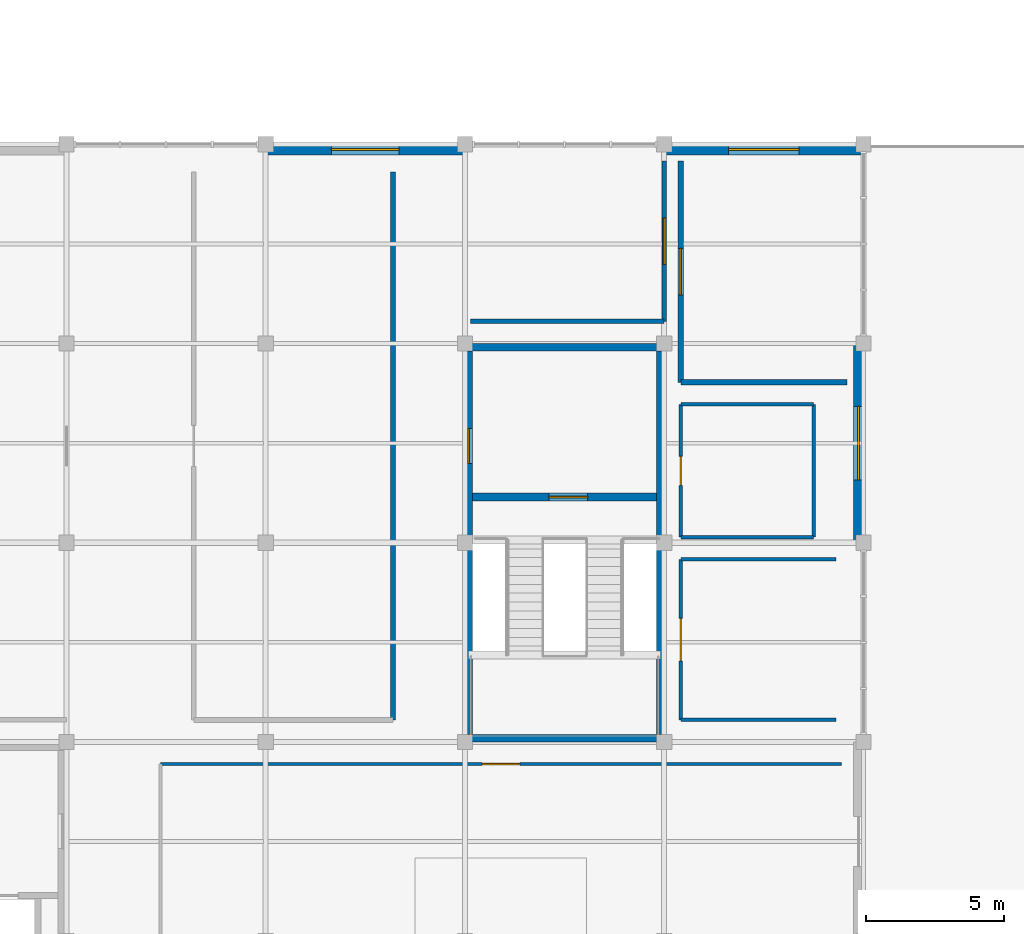
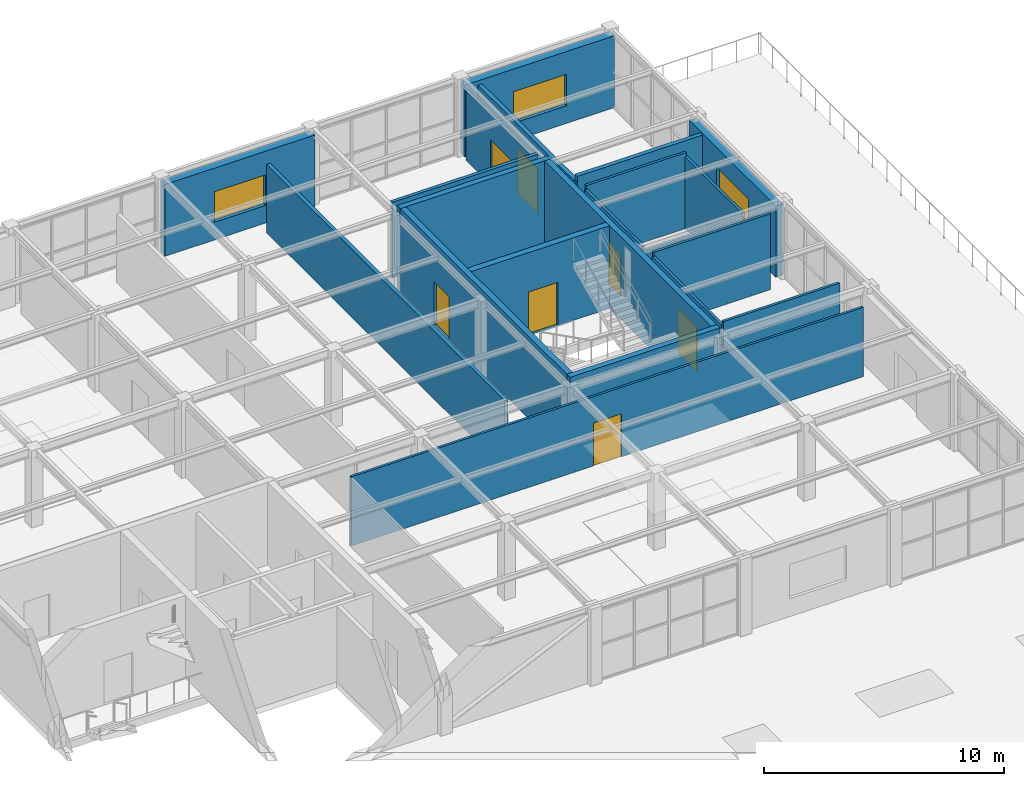
# One storey, part 60 of 64: 21 walls, 7 doors, 3 windows, 10 openings.
"""IFC4 building model written with IfcOpenShell, lengths in metres."""

from ifc_helpers import new_model, si_unit, direction, frame, frame_2d, origin, place, context, subcontext, project, spatial, rectangle, extrude, material, layer, layer_set, type_object, element, fill, save


model = new_model("IFC4")

# Units and contexts
model_context = context("Model", 3, precision=1e-05, world=origin(), true_north=direction((0.0, 1.0)))
body_context = subcontext(model_context, "Body", "Model", "MODEL_VIEW")
ifc_project = project(units=[si_unit("LENGTHUNIT", "METRE"), si_unit("AREAUNIT", "SQUARE_METRE"), si_unit("VOLUMEUNIT", "CUBIC_METRE"), si_unit("PLANEANGLEUNIT", "RADIAN"), si_unit("MASSUNIT", "GRAM", prefix="KILO")], contexts=[model_context])

# Site, building, storey
site_placement = place(None, origin())
site = spatial("IfcSite", under=ifc_project, at=site_placement, CompositionType="ELEMENT")
building_placement = place(site_placement, origin())
building = spatial("IfcBuilding", under=site, at=building_placement, Name="Leyfeld Transit Interchange", CompositionType="ELEMENT")
storey_placement = place(building_placement, frame((0.0, 0.0, 9.60009765625)))
storey = spatial("IfcBuildingStorey", under=building, at=storey_placement, Name="L02", CompositionType="ELEMENT", Elevation=9.60009765625)

# Wall, opening, window
ifc_material_1 = material(Name="Clinker brick masonry - Insulated", Category="masonry")
ifc_layer_1 = layer(ifc_material_1, 0.3798828125, Name="Clinker brick masonry - Insulated")
ifc_layer_set_1 = layer_set([ifc_layer_1], Name="Clinker brick masonry - Insulated")
wall_type_1 = type_object("IfcWallType", Name="WL-EXT-BRK-380", PredefinedType="SOLIDWALL", material=ifc_layer_set_1)
wall_1_placement = place(storey_placement, frame((158.39990234375, 93.409912109375, 0.0), z_axis=(0.0, 0.0, 1.0), x_axis=(1.0, 0.0, 0.0)))
wall_1 = element("IfcWall", 1, at=wall_1_placement, inside=storey, type_object=wall_type_1, Name="External Facade Wall EW-L02-095", PredefinedType="SOLIDWALL", context=body_context, shape_type="SweptSolid", body=[
    extrude(rectangle(XDim=7.2001953125, YDim=0.3798828125, at=frame_2d((3.60009765625, 0.0))), origin(), (0.0, 0.0, 1.0), 3.64990234375),
])
opening_1_placement = place(wall_1_placement, frame((2.375, 0.0, 0.89990234375)))
opening_1 = element("IfcOpeningElement", 2, at=opening_1_placement, cuts=wall_1, Name="Opening WU-13", PredefinedType="OPENING", context=body_context, shape_type="SweptSolid", body=[
    extrude(rectangle(XDim=2.449951171875, YDim=1.550048828125, at=frame_2d((1.22509765625, 0.77490234375))), frame((0.0, 0.199951171875, 0.0), z_axis=(0.0, -1.0, 0.0), x_axis=(1.0, 0.0, 0.0)), (0.0, 0.0, 1.0), 0.39990234375),
])
ifc_material_2 = material(Name="Triple low-E insulated glazing", Category="glass")
window_type_1 = type_object("IfcWindowType", Name="WIN-UNQ-13", PartitioningType="SINGLE_PANEL", PredefinedType="WINDOW", material=ifc_material_2)
window_1_placement = place(opening_1_placement, origin())
window_1 = element("IfcWindow", 3, at=window_1_placement, inside=storey, type_object=window_type_1, Name="Facade Window L02 065", OverallHeight=1.550048828125, OverallWidth=2.449951171875, PartitioningType="SINGLE_PANEL", PredefinedType="WINDOW", context=body_context, shape_type="SweptSolid", body=[
    extrude(rectangle(XDim=2.449951171875, YDim=1.550048828125, at=frame_2d((1.22509765625, 0.77490234375))), frame((0.0, 0.030029296875, 0.0), z_axis=(0.0, -1.0, 0.0), x_axis=(1.0, 0.0, 0.0)), (0.0, 0.0, 1.0), 0.06005859375),
])
fill(opening_1, window_1)

wall_2_placement = place(storey_placement, frame((172.800048828125, 93.409912109375, 0.0), z_axis=(0.0, 0.0, 1.0), x_axis=(1.0, 0.0, 0.0)))
wall_2 = element("IfcWall", 4, at=wall_2_placement, inside=storey, type_object=wall_type_1, Name="External Facade Wall EW-L02-096", PredefinedType="SOLIDWALL", context=body_context, shape_type="SweptSolid", body=[
    extrude(rectangle(XDim=7.199951171875, YDim=0.3798828125, at=frame_2d((3.60009765625, 0.0))), origin(), (0.0, 0.0, 1.0), 3.64990234375),
])
opening_2_placement = place(wall_2_placement, frame((2.324951171875, 0.0, 0.89990234375)))
opening_2 = element("IfcOpeningElement", 5, at=opening_2_placement, cuts=wall_2, Name="Opening WU-14", PredefinedType="OPENING", context=body_context, shape_type="SweptSolid", body=[
    extrude(rectangle(XDim=2.550048828125, YDim=1.60009765625, at=frame_2d((1.27490234375, 0.800048828125))), frame((0.0, 0.199951171875, 0.0), z_axis=(0.0, -1.0, 0.0), x_axis=(1.0, 0.0, 0.0)), (0.0, 0.0, 1.0), 0.39990234375),
])
window_type_2 = type_object("IfcWindowType", Name="WIN-UNQ-14", PartitioningType="SINGLE_PANEL", PredefinedType="WINDOW", material=ifc_material_2)
window_2_placement = place(opening_2_placement, origin())
window_2 = element("IfcWindow", 6, at=window_2_placement, inside=storey, type_object=window_type_2, Name="Facade Window L02 066", OverallHeight=1.60009765625, OverallWidth=2.550048828125, PartitioningType="SINGLE_PANEL", PredefinedType="WINDOW", context=body_context, shape_type="SweptSolid", body=[
    extrude(rectangle(XDim=2.550048828125, YDim=1.60009765625, at=frame_2d((1.27490234375, 0.800048828125))), frame((0.0, 0.030029296875, 0.0), z_axis=(0.0, -1.0, 0.0), x_axis=(1.0, 0.0, 0.0)), (0.0, 0.0, 1.0), 0.06005859375),
])
fill(opening_2, window_2)

ifc_material_3 = material(Name="Leitha limestone ashlar - Insulated", Category="masonry")
ifc_layer_2 = layer(ifc_material_3, 0.360107421875, Name="Leitha limestone ashlar - Insulated")
ifc_layer_set_2 = layer_set([ifc_layer_2], Name="Leitha limestone ashlar - Insulated")
wall_type_2 = type_object("IfcWallType", Name="WL-EXT-STN-360", PredefinedType="SOLIDWALL", material=ifc_layer_set_2)
wall_3_placement = place(storey_placement, frame((179.820068359375, 86.39990234375, 0.0), z_axis=(0.0, 0.0, 1.0), x_axis=(0.0, -1.0, 0.0)))
wall_3 = element("IfcWall", 7, at=wall_3_placement, inside=storey, type_object=wall_type_2, Name="External Facade Wall EW-L02-097", PredefinedType="SOLIDWALL", context=body_context, shape_type="SweptSolid", body=[
    extrude(rectangle(XDim=7.199951171875, YDim=0.360107421875, at=frame_2d((3.60009765625, 0.0))), origin(), (0.0, 0.0, 1.0), 3.619873046875),
])
opening_3_placement = place(wall_3_placement, frame((2.27490234375, 0.0, 0.89990234375)))
opening_3 = element("IfcOpeningElement", 8, at=opening_3_placement, cuts=wall_3, Name="Opening WU-15", PredefinedType="OPENING", context=body_context, shape_type="SweptSolid", body=[
    extrude(rectangle(XDim=2.64990234375, YDim=1.699951171875, at=frame_2d((1.324951171875, 0.85009765625))), frame((0.0, 0.18994140625, 0.0), z_axis=(0.0, -1.0, 0.0), x_axis=(1.0, 0.0, 0.0)), (0.0, 0.0, 1.0), 0.380126953125),
])
window_type_3 = type_object("IfcWindowType", Name="WIN-UNQ-15", PartitioningType="SINGLE_PANEL", PredefinedType="WINDOW", material=ifc_material_2)
window_3_placement = place(opening_3_placement, origin())
window_3 = element("IfcWindow", 9, at=window_3_placement, inside=storey, type_object=window_type_3, Name="Facade Window L02 067", OverallHeight=1.699951171875, OverallWidth=2.64990234375, PartitioningType="SINGLE_PANEL", PredefinedType="WINDOW", context=body_context, shape_type="SweptSolid", body=[
    extrude(rectangle(XDim=2.64990234375, YDim=1.699951171875, at=frame_2d((1.324951171875, 0.85009765625))), frame((0.0, 0.030029296875, 0.0), z_axis=(0.0, -1.0, 0.0), x_axis=(1.0, 0.0, 0.0)), (0.0, 0.0, 1.0), 0.06005859375),
])
fill(opening_3, window_3)

# Wall
ifc_material_4 = material(Name="Gypsum plasterboard acoustic stud", Category="gypsum")
ifc_layer_3 = layer(ifc_material_4, 0.159912109375, Name="Gypsum plasterboard acoustic stud")
ifc_layer_set_3 = layer_set([ifc_layer_3], Name="Gypsum plasterboard acoustic stud")
wall_type_3 = type_object("IfcWallType", Name="WL-INT-ACU-160", PredefinedType="PARTITIONING", material=ifc_layer_set_3)
wall_4_placement = place(storey_placement, frame((172.800048828125, 87.199951171875, 0.0), z_axis=(0.0, 0.0, 1.0), x_axis=(-1.0, 0.0, 0.0)))
element("IfcWall", 10, at=wall_4_placement, inside=storey, type_object=wall_type_3, Name="Interior Partition L02-TRN-V4 S", PredefinedType="PARTITIONING", context=body_context, shape_type="SweptSolid", body=[
    extrude(rectangle(XDim=7.0, YDim=0.159912109375, at=frame_2d((3.5, 0.0))), origin(), (0.0, 0.0, 1.0), 3.849853515625),
])

# Wall, opening, door
wall_5_placement = place(storey_placement, frame((172.800048828125, 93.0, 0.0), z_axis=(0.0, 0.0, 1.0), x_axis=(0.0, -1.0, 0.0)))
wall_5 = element("IfcWall", 11, at=wall_5_placement, inside=storey, type_object=wall_type_3, Name="Interior Partition L02-TRN-V4 E", PredefinedType="PARTITIONING", context=body_context, shape_type="SweptSolid", body=[
    extrude(rectangle(XDim=5.800048828125, YDim=0.159912109375, at=frame_2d((2.89990234375, 0.0))), origin(), (0.0, 0.0, 1.0), 3.5498046875),
])
opening_4_placement = place(wall_5_placement, frame((2.06005859375, 0.0, 0.0)))
opening_4 = element("IfcOpeningElement", 12, at=opening_4_placement, cuts=wall_5, Name="Opening DU-17", PredefinedType="OPENING", context=body_context, shape_type="SweptSolid", body=[
    extrude(rectangle(XDim=1.679931640625, YDim=2.280029296875, at=frame_2d((0.83984375, 1.14013671875))), frame((0.0, 0.08984375, 0.0), z_axis=(0.0, -1.0, 0.0), x_axis=(1.0, 0.0, 0.0)), (0.0, 0.0, 1.0), 0.179931640625),
])
ifc_material_5 = material(Name="Austrian larch glulam GL28h", Category="wood")
door_type_1 = type_object("IfcDoorType", Name="DR-UNQ-17", OperationType="NOTDEFINED", PredefinedType="DOOR", material=ifc_material_5)
door_1_placement = place(opening_4_placement, origin())
door_1 = element("IfcDoor", 13, at=door_1_placement, inside=storey, type_object=door_type_1, Name="DR-L02-TRN-V4", OperationType="DOUBLE_DOOR_SINGLE_SWING", OverallHeight=2.280029296875, OverallWidth=1.679931640625, PredefinedType="DOOR", context=body_context, shape_type="SweptSolid", body=[
    extrude(rectangle(XDim=1.679931640625, YDim=2.280029296875, at=frame_2d((0.83984375, 1.14013671875))), frame((0.0, 0.02490234375, 0.0), z_axis=(0.0, -1.0, 0.0), x_axis=(1.0, 0.0, 0.0)), (0.0, 0.0, 1.0), 0.050048828125),
])
fill(opening_4, door_1)

# Walls
ifc_material_6 = material(Name="Calcium silicate masonry", Category="masonry")
ifc_layer_4 = layer(ifc_material_6, 0.175048828125, Name="Calcium silicate masonry")
ifc_layer_set_4 = layer_set([ifc_layer_4], Name="Calcium silicate masonry")
wall_type_4 = type_object("IfcWallType", Name="WL-INT-COR-175", PredefinedType="PARTITIONING", material=ifc_layer_set_4)
wall_6_placement = place(storey_placement, frame((163.0, 92.60009765625, 0.0), z_axis=(0.0, 0.0, 1.0), x_axis=(0.0, -1.0, 0.0)))
element("IfcWall", 14, at=wall_6_placement, inside=storey, type_object=wall_type_4, Name="Interior Partition L02-ARC-01 E", PredefinedType="PARTITIONING", context=body_context, shape_type="SweptSolid", body=[
    extrude(rectangle(XDim=19.800048828125, YDim=0.175048828125, at=frame_2d((9.89990234375, 0.0))), origin(), (0.0, 0.0, 1.0), 3.469970703125),
])
ifc_material_7 = material(Name="Concrete C35/45", Category="concrete")
ifc_layer_5 = layer(ifc_material_7, 0.199951171875, Name="Concrete C35/45")
ifc_layer_set_5 = layer_set([ifc_layer_5], Name="Concrete C35/45")
wall_type_5 = type_object("IfcWallType", Name="WL-INT-FFL-200", PredefinedType="PARTITIONING", material=ifc_layer_set_5)
wall_7_placement = place(storey_placement, frame((179.39990234375, 85.0, 0.0), z_axis=(0.0, 0.0, 1.0), x_axis=(-1.0, 0.0, 0.0)))
element("IfcWall", 15, at=wall_7_placement, inside=storey, type_object=wall_type_5, Name="Interior Partition L02-LAB-V4 S", PredefinedType="PARTITIONING", context=body_context, shape_type="SweptSolid", body=[
    extrude(rectangle(XDim=6.0, YDim=0.199951171875, at=frame_2d((3.0, 0.0))), origin(), (0.0, 0.0, 1.0), 3.849853515625),
])

# Wall, opening, door
wall_8_placement = place(storey_placement, frame((173.39990234375, 85.0, 0.0), z_axis=(0.0, 0.0, 1.0), x_axis=(0.0, 1.0, 0.0)))
wall_8 = element("IfcWall", 16, at=wall_8_placement, inside=storey, type_object=wall_type_5, Name="Interior Partition L02-LAB-V4 W", PredefinedType="PARTITIONING", context=body_context, shape_type="SweptSolid", body=[
    extrude(rectangle(XDim=8.0, YDim=0.199951171875, at=frame_2d((4.0, 0.0))), origin(), (0.0, 0.0, 1.0), 3.619873046875),
])
opening_5_placement = place(wall_8_placement, frame((3.159912109375, 0.0, 0.0)))
opening_5 = element("IfcOpeningElement", 17, at=opening_5_placement, cuts=wall_8, Name="Opening DU-17", PredefinedType="OPENING", context=body_context, shape_type="SweptSolid", body=[
    extrude(rectangle(XDim=1.679931640625, YDim=2.280029296875, at=frame_2d((0.83984375, 1.14013671875))), frame((0.0, 0.10986328125, 0.0), z_axis=(0.0, -1.0, 0.0), x_axis=(1.0, 0.0, 0.0)), (0.0, 0.0, 1.0), 0.219970703125),
])
door_2_placement = place(opening_5_placement, origin())
door_2 = element("IfcDoor", 18, at=door_2_placement, inside=storey, type_object=door_type_1, Name="DR-L02-LAB-V4", OperationType="DOUBLE_DOOR_SINGLE_SWING", OverallHeight=2.280029296875, OverallWidth=1.679931640625, PredefinedType="DOOR", context=body_context, shape_type="SweptSolid", body=[
    extrude(rectangle(XDim=1.679931640625, YDim=2.280029296875, at=frame_2d((0.83984375, 1.14013671875))), frame((0.0, 0.02490234375, 0.0), z_axis=(0.0, -1.0, 0.0), x_axis=(1.0, 0.0, 0.0)), (0.0, 0.0, 1.0), 0.050048828125),
])
fill(opening_5, door_2)

ifc_layer_6 = layer(ifc_material_4, 0.114990234375, Name="Gypsum plasterboard acoustic stud")
ifc_layer_set_6 = layer_set([ifc_layer_6], Name="Gypsum plasterboard acoustic stud")
wall_type_6 = type_object("IfcWallType", Name="WL-INT-OFF-115", PredefinedType="PARTITIONING", material=ifc_layer_set_6)
wall_9_placement = place(storey_placement, frame((154.60009765625, 71.199951171875, 0.0), z_axis=(0.0, 0.0, 1.0), x_axis=(1.0, 0.0, 0.0)))
wall_9 = element("IfcWall", 19, at=wall_9_placement, inside=storey, type_object=wall_type_6, Name="Interior Partition L02-ADM-01 N", PredefinedType="PARTITIONING", context=body_context, shape_type="SweptSolid", body=[
    extrude(rectangle(XDim=24.599853515625, YDim=0.114990234375, at=frame_2d((12.2998046875, 0.0))), origin(), (0.0, 0.0, 1.0), 3.52001953125),
])
opening_6_placement = place(wall_9_placement, frame((11.6201171875, 0.0, 0.0)))
opening_6 = element("IfcOpeningElement", 20, at=opening_6_placement, cuts=wall_9, Name="Opening DU-11", PredefinedType="OPENING", context=body_context, shape_type="SweptSolid", body=[
    extrude(rectangle(XDim=1.360107421875, YDim=2.179931640625, at=frame_2d((0.68017578125, 1.08984375))), frame((0.0, 0.0673828125, 0.0), z_axis=(0.0, -1.0, 0.0), x_axis=(1.0, 0.0, 0.0)), (0.0, 0.0, 1.0), 0.135009765625),
])
door_type_2 = type_object("IfcDoorType", Name="DR-UNQ-11", OperationType="NOTDEFINED", PredefinedType="DOOR", material=ifc_material_5)
door_3_placement = place(opening_6_placement, origin())
door_3 = element("IfcDoor", 21, at=door_3_placement, inside=storey, type_object=door_type_2, Name="DR-L02-ADM-01", OperationType="SINGLE_SWING_LEFT", OverallHeight=2.179931640625, OverallWidth=1.360107421875, PredefinedType="DOOR", context=body_context, shape_type="SweptSolid", body=[
    extrude(rectangle(XDim=1.360107421875, YDim=2.179931640625, at=frame_2d((0.68017578125, 1.08984375))), frame((0.0, 0.02490234375, 0.0), z_axis=(0.0, -1.0, 0.0), x_axis=(1.0, 0.0, 0.0)), (0.0, 0.0, 1.0), 0.050048828125),
])
fill(opening_6, door_3)

# Walls
ifc_material_8 = material(Name="Autoclaved aerated blockwork G4", Category="masonry")
ifc_layer_7 = layer(ifc_material_8, 0.125, Name="Autoclaved aerated blockwork G4")
ifc_layer_set_7 = layer_set([ifc_layer_7], Name="Autoclaved aerated blockwork G4")
wall_type_7 = type_object("IfcWallType", Name="WL-INT-WC-125", PredefinedType="PARTITIONING", material=ifc_layer_set_7)
for number, where, z_axis, x_axis, name in (
    (22, (173.39990234375, 78.60009765625, 0.0), (0.0, 0.0, 1.0), (1.0, 0.0, 0.0), "Interior Partition L02-WCM-01 N"),
    (23, (179.0, 72.800048828125, 0.0), (0.0, 0.0, 1.0), (-1.0, 0.0, 0.0), "Interior Partition L02-WCM-01 S"),
):
    element("IfcWall", number, at=place(storey_placement, frame(where, z_axis=z_axis, x_axis=x_axis)), inside=storey, type_object=wall_type_7, Name=name, PredefinedType="PARTITIONING", context=body_context, shape_type="SweptSolid", body=[
        extrude(rectangle(XDim=5.60009765625, YDim=0.125, at=frame_2d((2.800048828125, 0.0))), origin(), (0.0, 0.0, 1.0), 3.849853515625),
    ])

# Wall, opening, door
wall_10_placement = place(storey_placement, frame((173.39990234375, 72.800048828125, 0.0), z_axis=(0.0, 0.0, 1.0), x_axis=(0.0, 1.0, 0.0)))
wall_10 = element("IfcWall", 24, at=wall_10_placement, inside=storey, type_object=wall_type_7, Name="Interior Partition L02-WCM-01 W", PredefinedType="PARTITIONING", context=body_context, shape_type="SweptSolid", body=[
    extrude(rectangle(XDim=5.800048828125, YDim=0.125, at=frame_2d((2.89990234375, 0.0))), origin(), (0.0, 0.0, 1.0), 3.64990234375),
])
opening_7_placement = place(wall_10_placement, frame((2.1298828125, 0.0, 0.0)))
opening_7 = element("IfcOpeningElement", 25, at=opening_7_placement, cuts=wall_10, Name="Opening DU-14", PredefinedType="OPENING", context=body_context, shape_type="SweptSolid", body=[
    extrude(rectangle(XDim=1.5400390625, YDim=2.219970703125, at=frame_2d((0.77001953125, 1.10986328125))), frame((0.0, 0.072509765625, 0.0), z_axis=(0.0, -1.0, 0.0), x_axis=(1.0, 0.0, 0.0)), (0.0, 0.0, 1.0), 0.14501953125),
])
door_type_3 = type_object("IfcDoorType", Name="DR-UNQ-14", OperationType="NOTDEFINED", PredefinedType="DOOR", material=ifc_material_5)
door_4_placement = place(opening_7_placement, origin())
door_4 = element("IfcDoor", 26, at=door_4_placement, inside=storey, type_object=door_type_3, Name="DR-L02-WCM-01", OperationType="SINGLE_SWING_RIGHT", OverallHeight=2.219970703125, OverallWidth=1.5400390625, PredefinedType="DOOR", context=body_context, shape_type="SweptSolid", body=[
    extrude(rectangle(XDim=1.5400390625, YDim=2.219970703125, at=frame_2d((0.77001953125, 1.10986328125))), frame((0.0, 0.02490234375, 0.0), z_axis=(0.0, -1.0, 0.0), x_axis=(1.0, 0.0, 0.0)), (0.0, 0.0, 1.0), 0.050048828125),
])
fill(opening_7, door_4)

# Walls
wall_11_placement = place(storey_placement, frame((173.39990234375, 84.199951171875, 0.0), z_axis=(0.0, 0.0, 1.0), x_axis=(1.0, 0.0, 0.0)))
element("IfcWall", 27, at=wall_11_placement, inside=storey, type_object=wall_type_7, Name="Interior Partition L02-WCA-02 N", PredefinedType="PARTITIONING", context=body_context, shape_type="SweptSolid", body=[
    extrude(rectangle(XDim=4.800048828125, YDim=0.125, at=frame_2d((2.39990234375, 0.0))), origin(), (0.0, 0.0, 1.0), 3.849853515625),
])
wall_12_placement = place(storey_placement, frame((178.199951171875, 79.39990234375, 0.0), z_axis=(0.0, 0.0, 1.0), x_axis=(-1.0, 0.0, 0.0)))
element("IfcWall", 28, at=wall_12_placement, inside=storey, type_object=wall_type_7, Name="Interior Partition L02-WCA-02 S", PredefinedType="PARTITIONING", context=body_context, shape_type="SweptSolid", body=[
    extrude(rectangle(XDim=4.800048828125, YDim=0.125, at=frame_2d((2.39990234375, 0.0))), origin(), (0.0, 0.0, 1.0), 3.469970703125),
])
wall_13_placement = place(storey_placement, frame((178.199951171875, 84.199951171875, 0.0), z_axis=(0.0, 0.0, 1.0), x_axis=(0.0, -1.0, 0.0)))
element("IfcWall", 29, at=wall_13_placement, inside=storey, type_object=wall_type_7, Name="Interior Partition L02-WCA-02 E", PredefinedType="PARTITIONING", context=body_context, shape_type="SweptSolid", body=[
    extrude(rectangle(XDim=4.800048828125, YDim=0.125, at=frame_2d((2.39990234375, 0.0))), origin(), (0.0, 0.0, 1.0), 3.64990234375),
])

# Wall, opening, door
wall_14_placement = place(storey_placement, frame((173.39990234375, 79.39990234375, 0.0), z_axis=(0.0, 0.0, 1.0), x_axis=(0.0, 1.0, 0.0)))
wall_14 = element("IfcWall", 30, at=wall_14_placement, inside=storey, type_object=wall_type_7, Name="Interior Partition L02-WCA-02 W", PredefinedType="PARTITIONING", context=body_context, shape_type="SweptSolid", body=[
    extrude(rectangle(XDim=4.800048828125, YDim=0.125, at=frame_2d((2.39990234375, 0.0))), origin(), (0.0, 0.0, 1.0), 3.64990234375),
])
opening_8_placement = place(wall_14_placement, frame((1.875, 0.0, 0.0)))
opening_8 = element("IfcOpeningElement", 31, at=opening_8_placement, cuts=wall_14, Name="Opening DI-09", PredefinedType="OPENING", context=body_context, shape_type="SweptSolid", body=[
    extrude(rectangle(XDim=1.050048828125, YDim=2.10009765625, at=frame_2d((0.52490234375, 1.050048828125))), frame((0.0, 0.072509765625, 0.0), z_axis=(0.0, -1.0, 0.0), x_axis=(1.0, 0.0, 0.0)), (0.0, 0.0, 1.0), 0.14501953125),
])
door_type_4 = type_object("IfcDoorType", Name="DR-WCA-1050x2100", OperationType="NOTDEFINED", PredefinedType="DOOR", material=ifc_material_5)
door_5_placement = place(opening_8_placement, origin())
door_5 = element("IfcDoor", 32, at=door_5_placement, inside=storey, type_object=door_type_4, Name="DR-L02-WCA-02", OperationType="SINGLE_SWING_LEFT", OverallHeight=2.10009765625, OverallWidth=1.050048828125, PredefinedType="DOOR", context=body_context, shape_type="SweptSolid", body=[
    extrude(rectangle(XDim=1.050048828125, YDim=2.10009765625, at=frame_2d((0.52490234375, 1.050048828125))), frame((0.0, 0.02490234375, 0.0), z_axis=(0.0, -1.0, 0.0), x_axis=(1.0, 0.0, 0.0)), (0.0, 0.0, 1.0), 0.050048828125),
])
fill(opening_8, door_5)

ifc_layer_8 = layer(ifc_material_7, 0.300048828125, Name="Concrete C35/45")
ifc_layer_set_8 = layer_set([ifc_layer_8], Name="Concrete C35/45")
wall_type_8 = type_object("IfcWallType", Name="WL-SH-300", PredefinedType="SHEAR", material=ifc_layer_set_8)
wall_15_placement = place(storey_placement, frame((165.8701171875, 80.85009765625, 0.0), z_axis=(0.0, 0.0, 1.0), x_axis=(1.0, 0.0, 0.0)))
wall_15 = element("IfcWall", 33, at=wall_15_placement, inside=storey, type_object=wall_type_8, Name="Core K5 Shear Wall STRN L02", PredefinedType="SHEAR", context=body_context, shape_type="SweptSolid", body=[
    extrude(rectangle(XDim=6.659912109375, YDim=0.300048828125, at=frame_2d((3.330078125, 0.0))), origin(), (0.0, 0.0, 1.0), 4.199951171875),
])
opening_9_placement = place(wall_15_placement, frame((2.764892578125, 0.0, 0.0)))
opening_9 = element("IfcOpeningElement", 34, at=opening_9_placement, cuts=wall_15, Name="Opening DI-01", PredefinedType="OPENING", context=body_context, shape_type="SweptSolid", body=[
    extrude(rectangle(XDim=1.39990234375, YDim=2.199951171875, at=frame_2d((0.699951171875, 1.10009765625))), frame((0.0, 0.159912109375, 0.0), z_axis=(0.0, -1.0, 0.0), x_axis=(1.0, 0.0, 0.0)), (0.0, 0.0, 1.0), 0.320068359375),
])
ifc_material_9 = material(Name="Galvanised steel S275JR", Category="steel")
door_type_5 = type_object("IfcDoorType", Name="DR-STR-1400x2200", OperationType="NOTDEFINED", PredefinedType="DOOR", material=ifc_material_9)
door_6_placement = place(opening_9_placement, origin())
door_6 = element("IfcDoor", 35, at=door_6_placement, inside=storey, type_object=door_type_5, Name="DR-STR-INT-K5-L02", OperationType="SINGLE_SWING_LEFT", OverallHeight=2.199951171875, OverallWidth=1.39990234375, PredefinedType="DOOR", context=body_context, shape_type="SweptSolid", body=[
    extrude(rectangle(XDim=1.39990234375, YDim=2.199951171875, at=frame_2d((0.699951171875, 1.10009765625))), frame((0.0, 0.02490234375, 0.0), z_axis=(0.0, -1.0, 0.0), x_axis=(1.0, 0.0, 0.0)), (0.0, 0.0, 1.0), 0.050048828125),
])
fill(opening_9, door_6)

# Walls
ifc_layer_9 = layer(ifc_material_7, 0.27001953125, Name="Concrete C35/45")
ifc_layer_set_9 = layer_set([ifc_layer_9], Name="Concrete C35/45")
wall_type_9 = type_object("IfcWallType", Name="WL-SH-VAR-270", PredefinedType="SHEAR", material=ifc_layer_set_9)
wall_16_placement = place(storey_placement, frame((165.60009765625, 86.264892578125, 0.0), z_axis=(0.0, 0.0, 1.0), x_axis=(1.0, 0.0, 0.0)))
element("IfcWall", 36, at=wall_16_placement, inside=storey, type_object=wall_type_9, Name="Core K5 Shear Wall N L02", PredefinedType="SHEAR", context=body_context, shape_type="SweptSolid", body=[
    extrude(rectangle(XDim=7.199951171875, YDim=0.27001953125, at=frame_2d((3.60009765625, 0.0))), origin(), (0.0, 0.0, 1.0), 4.199951171875),
])
wall_17_placement = place(storey_placement, frame((172.6650390625, 86.1298828125, 0.0), z_axis=(0.0, 0.0, 1.0), x_axis=(0.0, -1.0, 0.0)))
element("IfcWall", 37, at=wall_17_placement, inside=storey, type_object=wall_type_9, Name="Core K5 Shear Wall E L02", PredefinedType="SHEAR", context=body_context, shape_type="SweptSolid", body=[
    extrude(rectangle(XDim=13.85986328125, YDim=0.27001953125, at=frame_2d((6.929931640625, 0.0))), origin(), (0.0, 0.0, 1.0), 4.199951171875),
])
wall_18_placement = place(storey_placement, frame((172.800048828125, 72.135009765625, 0.0), z_axis=(0.0, 0.0, 1.0), x_axis=(-1.0, 0.0, 0.0)))
element("IfcWall", 38, at=wall_18_placement, inside=storey, type_object=wall_type_9, Name="Core K5 Shear Wall S L02", PredefinedType="SHEAR", context=body_context, shape_type="SweptSolid", body=[
    extrude(rectangle(XDim=7.199951171875, YDim=0.27001953125, at=frame_2d((3.60009765625, 0.0))), origin(), (0.0, 0.0, 1.0), 4.199951171875),
])

# Wall, opening, door
wall_19_placement = place(storey_placement, frame((165.735107421875, 72.27001953125, 0.0), z_axis=(0.0, 0.0, 1.0), x_axis=(0.0, 1.0, 0.0)))
wall_19 = element("IfcWall", 39, at=wall_19_placement, inside=storey, type_object=wall_type_9, Name="Core K5 Shear Wall W L02", PredefinedType="SHEAR", context=body_context, shape_type="SweptSolid", body=[
    extrude(rectangle(XDim=13.85986328125, YDim=0.27001953125, at=frame_2d((6.929931640625, 0.0))), origin(), (0.0, 0.0, 1.0), 4.199951171875),
])
opening_10_placement = place(wall_19_placement, frame((9.800048828125, 0.0, 0.0)))
opening_10 = element("IfcOpeningElement", 40, at=opening_10_placement, cuts=wall_19, Name="Opening DI-02", PredefinedType="OPENING", context=body_context, shape_type="SweptSolid", body=[
    extrude(rectangle(XDim=1.25, YDim=2.199951171875, at=frame_2d((0.625, 1.10009765625))), frame((0.0, 0.14501953125, 0.0), z_axis=(0.0, -1.0, 0.0), x_axis=(1.0, 0.0, 0.0)), (0.0, 0.0, 1.0), 0.2900390625),
])
door_type_6 = type_object("IfcDoorType", Name="DR-FFL-1250x2200", OperationType="NOTDEFINED", PredefinedType="DOOR", material=ifc_material_9)
door_7_placement = place(opening_10_placement, origin())
door_7 = element("IfcDoor", 41, at=door_7_placement, inside=storey, type_object=door_type_6, Name="DR-CORE-OUT-K5-L02", OperationType="SINGLE_SWING_RIGHT", OverallHeight=2.199951171875, OverallWidth=1.25, PredefinedType="DOOR", context=body_context, shape_type="SweptSolid", body=[
    extrude(rectangle(XDim=1.25, YDim=2.199951171875, at=frame_2d((0.625, 1.10009765625))), frame((0.0, 0.02490234375, 0.0), z_axis=(0.0, -1.0, 0.0), x_axis=(1.0, 0.0, 0.0)), (0.0, 0.0, 1.0), 0.050048828125),
])
fill(opening_10, door_7)

save(model, "model.ifc")
